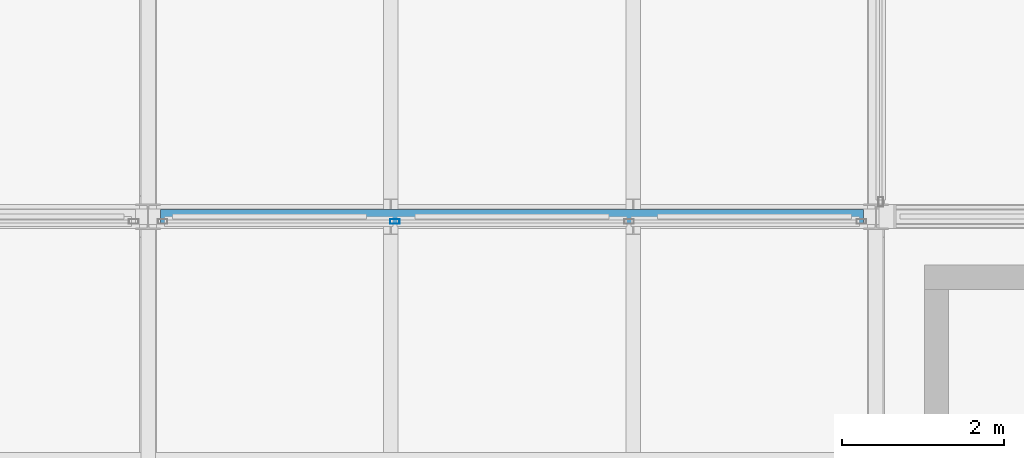
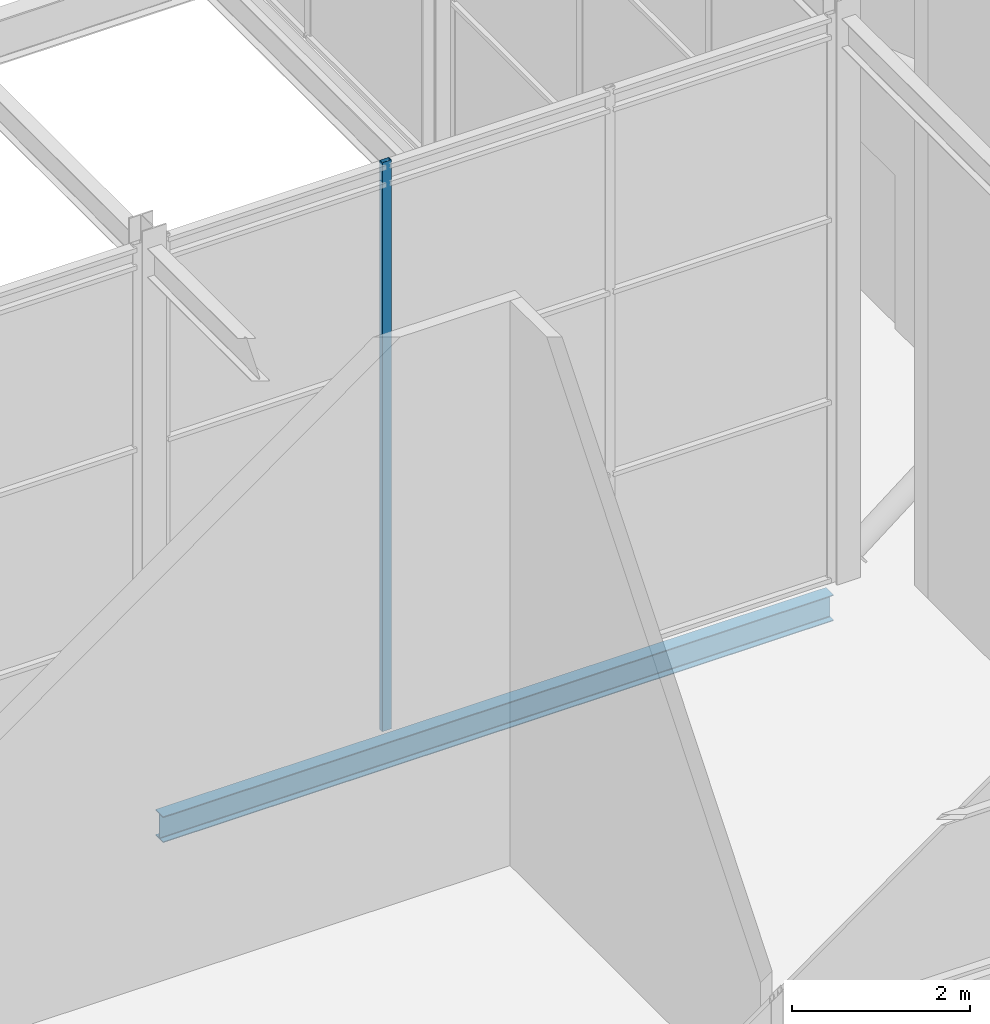
# One storey, part 61 of 144: 1 beam, 1 member, 1 element without a shape of its own.
"""IFC4 building model written with IfcOpenShell, lengths in metres."""

from ifc_helpers import new_model, si_unit, direction, frame, origin, origin_2d, place, context, subcontext, project, spatial, hollow_rectangle, i_section, extrude, material, layer, layer_set, material_profile, profile_set, type_object, element, aggregate, save


model = new_model("IFC4")

# Units and contexts
model_context = context("Model", 3, precision=1e-05, world=origin(), true_north=direction((0.0, 1.0)))
body_context = subcontext(model_context, "Body", "Model", "MODEL_VIEW")
ifc_project = project(units=[si_unit("LENGTHUNIT", "METRE"), si_unit("AREAUNIT", "SQUARE_METRE"), si_unit("VOLUMEUNIT", "CUBIC_METRE"), si_unit("PLANEANGLEUNIT", "RADIAN"), si_unit("MASSUNIT", "GRAM", prefix="KILO")], contexts=[model_context])

# Site, building, storey
site_placement = place(None, origin())
site = spatial("IfcSite", under=ifc_project, at=site_placement, CompositionType="ELEMENT")
building_placement = place(site_placement, origin())
building = spatial("IfcBuilding", under=site, at=building_placement, Name="Shorebreak Coast Museum", CompositionType="ELEMENT")
storey_placement = place(building_placement, frame((0.0, 0.0, 36.0)))
storey = spatial("IfcBuildingStorey", under=building, at=storey_placement, Name="L06", CompositionType="ELEMENT", Elevation=36.0)

# Beam
ifc_material_1 = material(Name="Steel Grade 300", Category="steel")
ifc_material_profile_1 = material_profile(ifc_material_1, i_section(OverallWidth=0.1708984375, OverallDepth=0.355712890625, WebThickness=0.00732421875, FlangeThickness=0.011474609375, FilletRadius=0.011474609375, at=origin_2d()), Name="360UB50.7")
ifc_profile_set_1 = profile_set([ifc_material_profile_1], Name="Steel Grade 300")
beam_type = type_object("IfcBeamType", Name="Floor girder east-west 360UB50.7", PredefinedType="BEAM", material=ifc_profile_set_1)
beam_placement = place(storey_placement, frame((99.153564453125, 63.0, -0.352783203125), z_axis=(1.0, 0.0, 0.0), x_axis=(0.0, 1.0, 0.0)))
element("IfcBeam", 1, at=beam_placement, inside=storey, type_object=beam_type, Name="Floor girder east-west L06 12H", PredefinedType="BEAM", context=body_context, shape_type="SweptSolid", body=[
    extrude(i_section(OverallWidth=0.1708984375, OverallDepth=0.355712890625, WebThickness=0.00732421875, FlangeThickness=0.011474609375, FilletRadius=0.011474609375, at=origin_2d()), origin(), (0.0, 0.0, 1.0), 8.69287109375),
])

# Curtain wall, member
ifc_material_2 = material(Name="Aluminium", Category="aluminium")
ifc_layer = layer(ifc_material_2, 0.1201171875)
ifc_layer_set = layer_set([ifc_layer], Name="Aluminium")
curtain_wall_type = type_object("IfcCurtainWallType", Name="Atrium fire screen", PredefinedType="NOTDEFINED", material=ifc_layer_set)
curtain_wall_placement = place(storey_placement, origin())
curtain_wall = element("IfcCurtainWall", 2, at=curtain_wall_placement, inside=storey, type_object=curtain_wall_type, Name="Atrium screen L06 S 83", PredefinedType="NOTDEFINED")
ifc_material_3 = material(Name="Aluminium", Category="aluminium")
ifc_material_profile_2 = material_profile(ifc_material_3, hollow_rectangle(XDim=0.06005859375, YDim=0.1201171875, WallThickness=0.00341796875, at=origin_2d()), Name="AL 120x60 RHS")
ifc_profile_set_2 = profile_set([ifc_material_profile_2], Name="Aluminium")
member_type = type_object("IfcMemberType", Name="Screen mullion 50 x 120", PredefinedType="MULLION", material=ifc_profile_set_2)
member_placement = place(storey_placement, frame((102.05126953125, 62.93994140625, 0.0), z_axis=(0.0, 0.0, 1.0), x_axis=(0.0, 1.0, 0.0)))
member = element("IfcMember", 3, at=member_placement, type_object=member_type, Name="CW6 mullion 2", PredefinedType="MULLION", context=body_context, shape_type="SweptSolid", body=[
    extrude(hollow_rectangle(XDim=0.06005859375, YDim=0.1201171875, WallThickness=0.00341796875, at=origin_2d()), origin(), (0.0, 0.0, 1.0), 7.800048828125),
])
aggregate(curtain_wall, [member])

save(model, "model.ifc")
